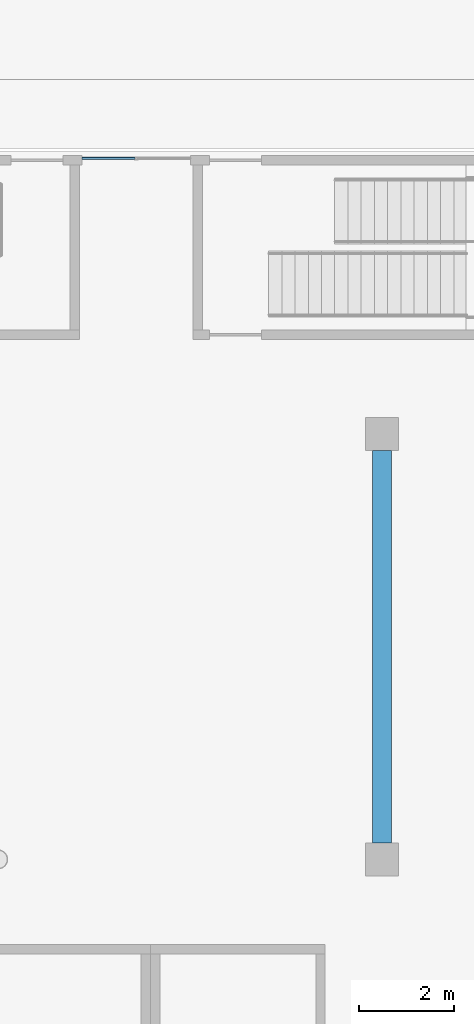
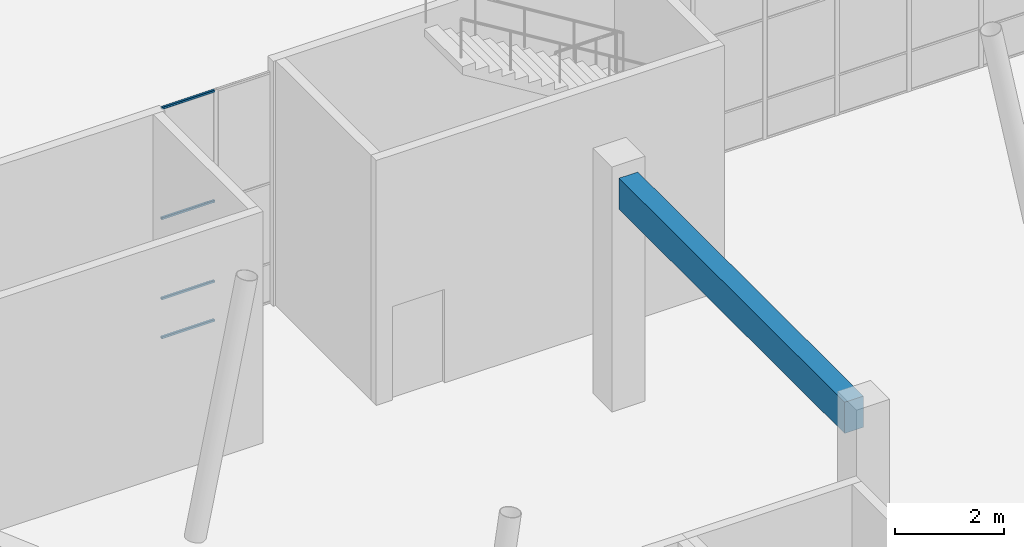
# One storey, part 21 of 72: 4 members, 1 beam, 1 element without a shape of its own.
"""IFC4 building model written with IfcOpenShell, lengths in metres."""

from ifc_helpers import new_model, si_unit, direction, frame, origin, origin_2d, place, context, subcontext, project, spatial, rectangle, hollow_rectangle, extrude, material, layer, layer_set, material_profile, profile_set, type_object, element, aggregate, save


model = new_model("IFC4")

# Units and contexts
model_context = context("Model", 3, precision=1e-05, world=origin(), true_north=direction((0.0, 1.0)))
body_context = subcontext(model_context, "Body", "Model", "MODEL_VIEW")
ifc_project = project(units=[si_unit("LENGTHUNIT", "METRE"), si_unit("AREAUNIT", "SQUARE_METRE"), si_unit("VOLUMEUNIT", "CUBIC_METRE"), si_unit("PLANEANGLEUNIT", "RADIAN"), si_unit("MASSUNIT", "GRAM", prefix="KILO")], contexts=[model_context])

# Site, building, storey
site_placement = place(None, origin())
site = spatial("IfcSite", under=ifc_project, at=site_placement, CompositionType="ELEMENT")
building_placement = place(site_placement, origin())
building = spatial("IfcBuilding", under=site, at=building_placement, Name="Tuart Plaza Theatre", CompositionType="ELEMENT")
storey_placement = place(building_placement, origin())
storey = spatial("IfcBuildingStorey", under=building, at=storey_placement, Name="L00", CompositionType="ELEMENT", Elevation=0.0)

# Beam
ifc_material_1 = material(Name="Concrete N40 (40 MPa)", Category="concrete")
ifc_material_profile_1 = material_profile(ifc_material_1, rectangle(XDim=0.39990234375, YDim=0.699951171875, at=origin_2d()), Name="BEAM 400x700 Concrete N40 (40 MPa)")
ifc_profile_set_1 = profile_set([ifc_material_profile_1], Name="Concrete N40 (40 MPa)")
beam_type = type_object("IfcBeamType", Name="BEAM 400x700 Concrete N40 (40 MPa)", PredefinedType="BEAM", material=ifc_profile_set_1)
beam_placement = place(storey_placement, frame((96.0, 65.35009765625, 4.85009765625), z_axis=(0.0, 1.0, 0.0), x_axis=(-1.0, 0.0, 0.0)))
element("IfcBeam", 1, at=beam_placement, inside=storey, type_object=beam_type, Name="RB445", PredefinedType="BEAM", context=body_context, shape_type="SweptSolid", body=[
    extrude(rectangle(XDim=0.39990234375, YDim=0.699951171875, at=origin_2d()), origin(), (0.0, 0.0, 1.0), 8.2998046875),
])

# Curtain wall, members
ifc_material_2 = material(Name="Aluminium and glass", Category="aluminium")
ifc_layer = layer(ifc_material_2, 0.10009765625)
ifc_layer_set = layer_set([ifc_layer], Name="CURTAIN WALL 1500 module")
curtain_wall_type = type_object("IfcCurtainWallType", Name="CURTAIN WALL 1500 module", PredefinedType="NOTDEFINED", material=ifc_layer_set)
curtain_wall_placement = place(storey_placement, origin())
curtain_wall = element("IfcCurtainWall", 2, at=curtain_wall_placement, inside=storey, type_object=curtain_wall_type, Name="CW11", PredefinedType="NOTDEFINED")
ifc_material_3 = material(Name="Aluminium 6063-T5", Category="aluminium")
ifc_material_profile_2 = material_profile(ifc_material_3, hollow_rectangle(XDim=0.050048828125, YDim=0.050048828125, WallThickness=0.00390625, InnerFilletRadius=0.00390625, OuterFilletRadius=0.008056640625, at=origin_2d()), Name="RHS 50x50x4")
ifc_profile_set_2 = profile_set([ifc_material_profile_2], Name="Aluminium 6063-T5")
member_type = type_object("IfcMemberType", Name="TRANSOM RHS 50x50x4", PredefinedType="USERDEFINED", material=ifc_profile_set_2)
member_1_placement = place(storey_placement, frame((89.64990234375, 79.8369140625, 0.02490234375), z_axis=(1.0, 0.0, 0.0), x_axis=(0.0, 1.0, 0.0)))
member_1 = element("IfcMember", 3, at=member_1_placement, type_object=member_type, Name="CW11 transom 1.1", ObjectType="TRANSOM", PredefinedType="USERDEFINED", context=body_context, shape_type="SweptSolid", body=[
    extrude(hollow_rectangle(XDim=0.050048828125, YDim=0.050048828125, WallThickness=0.00390625, InnerFilletRadius=0.00390625, OuterFilletRadius=0.008056640625, at=origin_2d()), origin(), (0.0, 0.0, 1.0), 1.125),
])
member_2_placement = place(storey_placement, frame((89.64990234375, 79.8369140625, 0.89990234375), z_axis=(1.0, 0.0, 0.0), x_axis=(0.0, 1.0, 0.0)))
member_2 = element("IfcMember", 4, at=member_2_placement, type_object=member_type, Name="CW11 transom 1.2", ObjectType="TRANSOM", PredefinedType="USERDEFINED", context=body_context, shape_type="SweptSolid", body=[
    extrude(hollow_rectangle(XDim=0.050048828125, YDim=0.050048828125, WallThickness=0.00390625, InnerFilletRadius=0.00390625, OuterFilletRadius=0.008056640625, at=origin_2d()), origin(), (0.0, 0.0, 1.0), 1.125),
])
member_3_placement = place(storey_placement, frame((89.64990234375, 79.8369140625, 2.699951171875), z_axis=(1.0, 0.0, 0.0), x_axis=(0.0, 1.0, 0.0)))
member_3 = element("IfcMember", 5, at=member_3_placement, type_object=member_type, Name="CW11 transom 1.3", ObjectType="TRANSOM", PredefinedType="USERDEFINED", context=body_context, shape_type="SweptSolid", body=[
    extrude(hollow_rectangle(XDim=0.050048828125, YDim=0.050048828125, WallThickness=0.00390625, InnerFilletRadius=0.00390625, OuterFilletRadius=0.008056640625, at=origin_2d()), origin(), (0.0, 0.0, 1.0), 1.125),
])
member_4_placement = place(storey_placement, frame((89.64990234375, 79.8369140625, 5.175048828125), z_axis=(1.0, 0.0, 0.0), x_axis=(0.0, 1.0, 0.0)))
member_4 = element("IfcMember", 6, at=member_4_placement, type_object=member_type, Name="CW11 transom 1.4", ObjectType="TRANSOM", PredefinedType="USERDEFINED", context=body_context, shape_type="SweptSolid", body=[
    extrude(hollow_rectangle(XDim=0.050048828125, YDim=0.050048828125, WallThickness=0.00390625, InnerFilletRadius=0.00390625, OuterFilletRadius=0.008056640625, at=origin_2d()), origin(), (0.0, 0.0, 1.0), 1.125),
])
aggregate(curtain_wall, [member_1, member_2, member_3, member_4])

save(model, "model.ifc")
